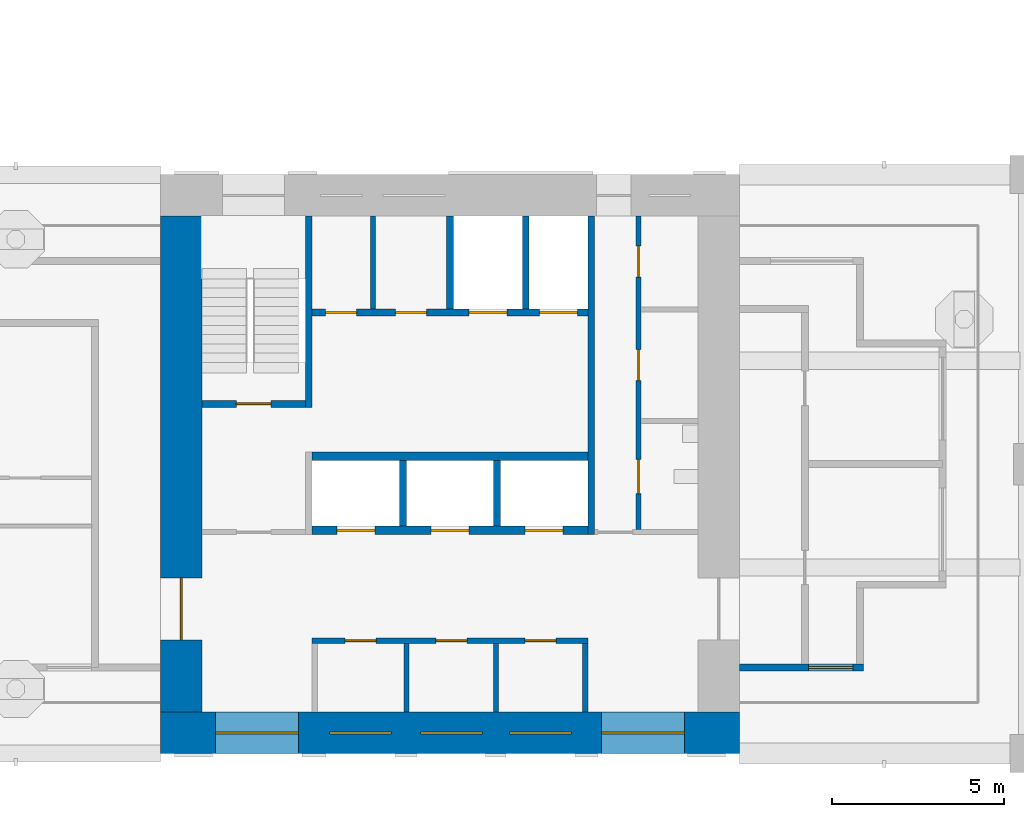
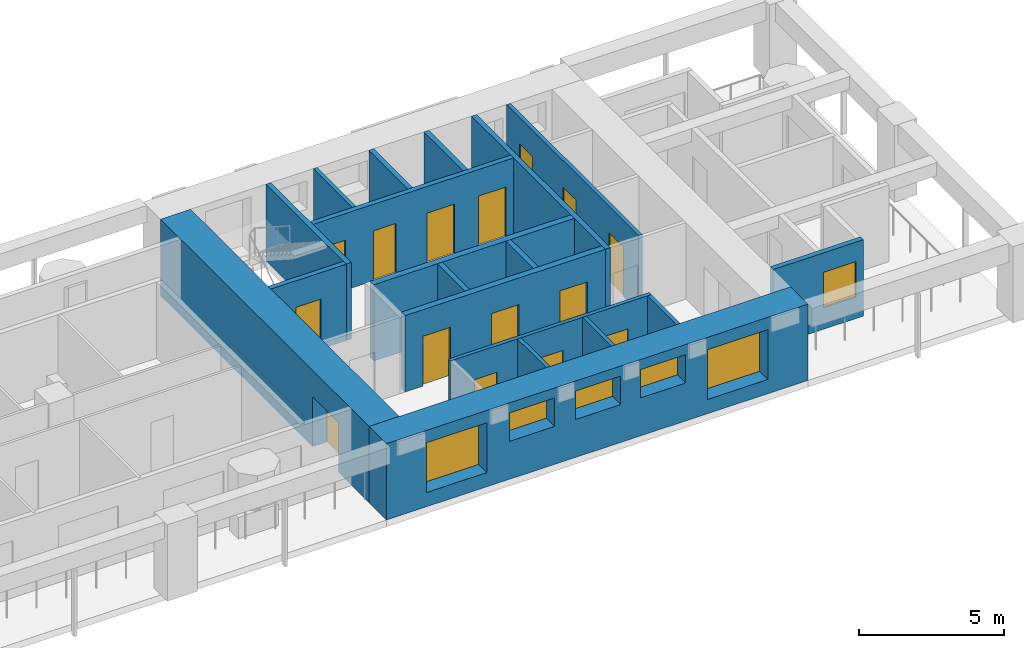
# One storey, part 4 of 13: 19 walls, 15 doors, 6 windows, 21 openings.
"""IFC4 building model written with IfcOpenShell, lengths in metres."""

from ifc_helpers import new_model, si_unit, direction, frame, frame_2d, origin, place, context, subcontext, project, spatial, rectangle, extrude, material, layer, layer_set, type_object, element, fill, save


model = new_model("IFC4")

# Units and contexts
model_context = context("Model", 3, precision=1e-05, world=origin(), true_north=direction((0.0, 1.0)))
body_context = subcontext(model_context, "Body", "Model", "MODEL_VIEW")
ifc_project = project(units=[si_unit("LENGTHUNIT", "METRE"), si_unit("AREAUNIT", "SQUARE_METRE"), si_unit("VOLUMEUNIT", "CUBIC_METRE"), si_unit("PLANEANGLEUNIT", "RADIAN"), si_unit("MASSUNIT", "GRAM", prefix="KILO")], contexts=[model_context])

# Site, building, storey
site_placement = place(None, origin())
site = spatial("IfcSite", under=ifc_project, at=site_placement, CompositionType="ELEMENT")
building_placement = place(site_placement, origin())
building = spatial("IfcBuilding", under=site, at=building_placement, Name="Vermilion Gate Residences", CompositionType="ELEMENT")
storey_placement = place(building_placement, frame((0.0, 0.0, 189.699951171875)))
storey = spatial("IfcBuildingStorey", under=building, at=storey_placement, Name="L49", CompositionType="ELEMENT", Elevation=189.699951171875)

# Walls
ifc_material_1 = material(Name="Masonry blockwork", Category="masonry")
ifc_layer_1 = layer(ifc_material_1, 0.14990234375)
ifc_layer_set_1 = layer_set([ifc_layer_1], Name="BLOCKWORK PARTITION 150 EI 120")
wall_type_1 = type_object("IfcWallType", Name="BLOCKWORK PARTITION 150 EI 120", PredefinedType="PARTITIONING", material=ifc_layer_set_1)
for number, where, z_axis, x_axis, name in (
    (1, (54.324951171875, 9.60009765625, 0.0), (0.0, 0.0, 1.0), (0.0, 1.0, 0.0), "Core room partition A49-RW-E"),
    (2, (49.14111328125, 9.60009765625, 0.0), (0.0, 0.0, 1.0), (0.0, 1.0, 0.0), "Core room partition A49-SR-P0"),
    (3, (51.73291015625, 9.60009765625, 0.0), (0.0, 0.0, 1.0), (0.0, 1.0, 0.0), "Core room partition A49-SR-P1"),
):
    element("IfcWall", number, at=place(storey_placement, frame(where, z_axis=z_axis, x_axis=x_axis)), inside=storey, type_object=wall_type_1, Name=name, PredefinedType="PARTITIONING", context=body_context, shape_type="SweptSolid", body=[
        extrude(rectangle(XDim=2.0, YDim=0.14990234375, at=frame_2d((1.0, 0.0))), origin(), (0.0, 0.0, 1.0), 3.219970703125),
    ])

# Wall, openings, doors
wall_1_placement = place(storey_placement, frame((46.39990234375, 11.675048828125, 0.0), z_axis=(0.0, 0.0, 1.0), x_axis=(1.0, 0.0, 0.0)))
wall_1 = element("IfcWall", 4, at=wall_1_placement, inside=storey, type_object=wall_type_1, Name="Core room partition A49-LR-F", PredefinedType="PARTITIONING", context=body_context, shape_type="SweptSolid", body=[
    extrude(rectangle(XDim=8.0, YDim=0.14990234375, at=frame_2d((4.0, 0.0))), origin(), (0.0, 0.0, 1.0), 3.219970703125),
])
opening_1_placement = place(wall_1_placement, frame((0.9580078125, 0.0, 0.0)))
opening_1 = element("IfcOpeningElement", 5, at=opening_1_placement, cuts=wall_1, Name="Opening DK49003", PredefinedType="OPENING", context=body_context, shape_type="SweptSolid", body=[
    extrude(rectangle(XDim=0.89990234375, YDim=2.10009765625, at=frame_2d((0.449951171875, 1.050048828125))), frame((0.0, 0.0849609375, 0.0), z_axis=(0.0, -1.0, 0.0), x_axis=(1.0, 0.0, 0.0)), (0.0, 0.0, 1.0), 0.169921875),
])
opening_2_placement = place(wall_1_placement, frame((3.5869140625, 0.0, 0.0)))
opening_2 = element("IfcOpeningElement", 6, at=opening_2_placement, cuts=wall_1, Name="Opening DK49004", PredefinedType="OPENING", context=body_context, shape_type="SweptSolid", body=[
    extrude(rectangle(XDim=0.89990234375, YDim=2.10009765625, at=frame_2d((0.449951171875, 1.050048828125))), frame((0.0, 0.0849609375, 0.0), z_axis=(0.0, -1.0, 0.0), x_axis=(1.0, 0.0, 0.0)), (0.0, 0.0, 1.0), 0.169921875),
])
opening_3_placement = place(wall_1_placement, frame((6.178955078125, 0.0, 0.0)))
opening_3 = element("IfcOpeningElement", 7, at=opening_3_placement, cuts=wall_1, Name="Opening DK49005", PredefinedType="OPENING", context=body_context, shape_type="SweptSolid", body=[
    extrude(rectangle(XDim=0.89990234375, YDim=2.10009765625, at=frame_2d((0.449951171875, 1.050048828125))), frame((0.0, 0.0849609375, 0.0), z_axis=(0.0, -1.0, 0.0), x_axis=(1.0, 0.0, 0.0)), (0.0, 0.0, 1.0), 0.169921875),
])
ifc_material_2 = material(Name="Steel", Category="steel")
door_type_1 = type_object("IfcDoorType", Name="SERVICE ROOM DOOR FD60 900 X 2100", OperationType="SINGLE_SWING_LEFT", PredefinedType="DOOR", material=ifc_material_2)
door_1_placement = place(opening_1_placement, origin())
door_1 = element("IfcDoor", 8, at=door_1_placement, inside=storey, type_object=door_type_1, Name="Electrical room A49", OperationType="SINGLE_SWING_LEFT", OverallHeight=2.10009765625, OverallWidth=0.89990234375, PredefinedType="DOOR", context=body_context, shape_type="SweptSolid", body=[
    extrude(rectangle(XDim=0.89990234375, YDim=2.10009765625, at=frame_2d((0.449951171875, 1.050048828125))), frame((0.0, 0.02490234375, 0.0), z_axis=(0.0, -1.0, 0.0), x_axis=(1.0, 0.0, 0.0)), (0.0, 0.0, 1.0), 0.050048828125),
])
fill(opening_1, door_1)
door_2_placement = place(opening_2_placement, frame((0.89990234375, 0.0, 0.0), z_axis=(0.0, 0.0, 1.0), x_axis=(-1.0, 0.0, 0.0)))
door_2 = element("IfcDoor", 9, at=door_2_placement, inside=storey, type_object=door_type_1, Name="Communications room A49", OperationType="SINGLE_SWING_LEFT", OverallHeight=2.10009765625, OverallWidth=0.89990234375, PredefinedType="DOOR", context=body_context, shape_type="SweptSolid", body=[
    extrude(rectangle(XDim=0.89990234375, YDim=2.10009765625, at=frame_2d((0.449951171875, 1.050048828125))), frame((0.0, 0.02490234375, 0.0), z_axis=(0.0, -1.0, 0.0), x_axis=(1.0, 0.0, 0.0)), (0.0, 0.0, 1.0), 0.050048828125),
])
fill(opening_2, door_2)
door_3_placement = place(opening_3_placement, frame((0.89990234375, 0.0, 0.0), z_axis=(0.0, 0.0, 1.0), x_axis=(-1.0, 0.0, 0.0)))
door_3 = element("IfcDoor", 10, at=door_3_placement, inside=storey, type_object=door_type_1, Name="Refuse room A49", OperationType="SINGLE_SWING_RIGHT", OverallHeight=2.10009765625, OverallWidth=0.89990234375, PredefinedType="DOOR", context=body_context, shape_type="SweptSolid", body=[
    extrude(rectangle(XDim=0.89990234375, YDim=2.10009765625, at=frame_2d((0.449951171875, 1.050048828125))), frame((0.0, 0.02490234375, 0.0), z_axis=(0.0, -1.0, 0.0), x_axis=(1.0, 0.0, 0.0)), (0.0, 0.0, 1.0), 0.050048828125),
])
fill(opening_3, door_3)

# Wall
wall_2_placement = place(storey_placement, frame((48.16259765625, 21.300048828125, 0.0), z_axis=(0.0, 0.0, 1.0), x_axis=(0.0, 1.0, 0.0)))
element("IfcWall", 11, at=wall_2_placement, inside=storey, type_object=wall_type_1, Name="Core room partition A49-NR-P0", PredefinedType="PARTITIONING", context=body_context, shape_type="SweptSolid", body=[
    extrude(rectangle(XDim=2.699951171875, YDim=0.14990234375, at=frame_2d((1.35009765625, 0.0))), origin(), (0.0, 0.0, 1.0), 3.219970703125),
])

# Wall, openings, doors
wall_3_placement = place(storey_placement, frame((55.875, 14.89990234375, 0.0), z_axis=(0.0, 0.0, 1.0), x_axis=(0.0, 1.0, 0.0)))
wall_3 = element("IfcWall", 12, at=wall_3_placement, inside=storey, type_object=wall_type_1, Name="Core room partition A49-ES-W", PredefinedType="PARTITIONING", context=body_context, shape_type="SweptSolid", body=[
    extrude(rectangle(XDim=9.10009765625, YDim=0.14990234375, at=frame_2d((4.550048828125, 0.0))), origin(), (0.0, 0.0, 1.0), 3.219970703125),
])
opening_4_placement = place(wall_3_placement, frame((1.0400390625, 0.0, 0.0)))
opening_4 = element("IfcOpeningElement", 13, at=opening_4_placement, cuts=wall_3, Name="Opening DK49016", PredefinedType="OPENING", context=body_context, shape_type="SweptSolid", body=[
    extrude(rectangle(XDim=1.0, YDim=2.10009765625, at=frame_2d((0.5, 1.050048828125))), frame((0.0, 0.0849609375, 0.0), z_axis=(0.0, -1.0, 0.0), x_axis=(1.0, 0.0, 0.0)), (0.0, 0.0, 1.0), 0.169921875),
])
opening_5_placement = place(wall_3_placement, frame((4.320068359375, 0.0, 0.0)))
opening_5 = element("IfcOpeningElement", 14, at=opening_5_placement, cuts=wall_3, Name="Opening DK49017", PredefinedType="OPENING", context=body_context, shape_type="SweptSolid", body=[
    extrude(rectangle(XDim=0.89990234375, YDim=2.10009765625, at=frame_2d((0.449951171875, 1.050048828125))), frame((0.0, 0.0849609375, 0.0), z_axis=(0.0, -1.0, 0.0), x_axis=(1.0, 0.0, 0.0)), (0.0, 0.0, 1.0), 0.169921875),
])
opening_6_placement = place(wall_3_placement, frame((7.330078125, 0.0, 0.0)))
opening_6 = element("IfcOpeningElement", 15, at=opening_6_placement, cuts=wall_3, Name="Opening DK49018", PredefinedType="OPENING", context=body_context, shape_type="SweptSolid", body=[
    extrude(rectangle(XDim=0.89990234375, YDim=2.10009765625, at=frame_2d((0.449951171875, 1.050048828125))), frame((0.0, 0.0849609375, 0.0), z_axis=(0.0, -1.0, 0.0), x_axis=(1.0, 0.0, 0.0)), (0.0, 0.0, 1.0), 0.169921875),
])
ifc_material_3 = material(Name="Steel", Category="steel")
door_type_2 = type_object("IfcDoorType", Name="FIRE DOOR FD60 1000 X 2100", OperationType="SINGLE_SWING_LEFT", PredefinedType="DOOR", material=ifc_material_3)
door_4_placement = place(opening_4_placement, frame((1.0, 0.0, 0.0), z_axis=(0.0, 0.0, 1.0), x_axis=(-1.0, 0.0, 0.0)))
door_4 = element("IfcDoor", 16, at=door_4_placement, inside=storey, type_object=door_type_2, Name="Accessible WC A49", OperationType="SINGLE_SWING_LEFT", OverallHeight=2.10009765625, OverallWidth=1.0, PredefinedType="DOOR", context=body_context, shape_type="SweptSolid", body=[
    extrude(rectangle(XDim=1.0, YDim=2.10009765625, at=frame_2d((0.5, 1.050048828125))), frame((0.0, 0.02490234375, 0.0), z_axis=(0.0, -1.0, 0.0), x_axis=(1.0, 0.0, 0.0)), (0.0, 0.0, 1.0), 0.050048828125),
])
fill(opening_4, door_4)
door_5_placement = place(opening_5_placement, frame((0.89990234375, 0.0, 0.0), z_axis=(0.0, 0.0, 1.0), x_axis=(-1.0, 0.0, 0.0)))
door_5 = element("IfcDoor", 17, at=door_5_placement, inside=storey, type_object=door_type_1, Name="Refuse room A49", OperationType="SINGLE_SWING_RIGHT", OverallHeight=2.10009765625, OverallWidth=0.89990234375, PredefinedType="DOOR", context=body_context, shape_type="SweptSolid", body=[
    extrude(rectangle(XDim=0.89990234375, YDim=2.10009765625, at=frame_2d((0.449951171875, 1.050048828125))), frame((0.0, 0.02490234375, 0.0), z_axis=(0.0, -1.0, 0.0), x_axis=(1.0, 0.0, 0.0)), (0.0, 0.0, 1.0), 0.050048828125),
])
fill(opening_5, door_5)
door_6_placement = place(opening_6_placement, frame((0.89990234375, 0.0, 0.0), z_axis=(0.0, 0.0, 1.0), x_axis=(-1.0, 0.0, 0.0)))
door_6 = element("IfcDoor", 18, at=door_6_placement, inside=storey, type_object=door_type_1, Name="Parcel room A49", OperationType="SINGLE_SWING_LEFT", OverallHeight=2.10009765625, OverallWidth=0.89990234375, PredefinedType="DOOR", context=body_context, shape_type="SweptSolid", body=[
    extrude(rectangle(XDim=0.89990234375, YDim=2.10009765625, at=frame_2d((0.449951171875, 1.050048828125))), frame((0.0, 0.02490234375, 0.0), z_axis=(0.0, -1.0, 0.0), x_axis=(1.0, 0.0, 0.0)), (0.0, 0.0, 1.0), 0.050048828125),
])
fill(opening_6, door_6)

# Wall, opening, window
ifc_material_4 = material(Name="Insulated steel stud wall with terracotta rainscreen", Category="masonry")
ifc_layer_2 = layer(ifc_material_4, 0.199951171875)
ifc_layer_set_2 = layer_set([ifc_layer_2], Name="EXTERNAL WALL 200 TERRACOTTA RAINSCREEN")
wall_type_2 = type_object("IfcWallType", Name="EXTERNAL WALL 200 TERRACOTTA RAINSCREEN", PredefinedType="SOLIDWALL", material=ifc_layer_set_2)
wall_4_placement = place(storey_placement, frame((58.800048828125, 10.89990234375, 0.0), z_axis=(0.0, 0.0, 1.0), x_axis=(1.0, 0.0, 0.0)))
wall_4 = element("IfcWall", 19, at=wall_4_placement, inside=storey, type_object=wall_type_2, Name="External wall", PredefinedType="SOLIDWALL", context=body_context, shape_type="SweptSolid", body=[
    extrude(rectangle(XDim=3.599853515625, YDim=0.199951171875, at=frame_2d((1.7998046875, 0.0))), origin(), (0.0, 0.0, 1.0), 3.219970703125),
])
opening_7_placement = place(wall_4_placement, frame((2.0, 0.0, 0.89990234375)))
opening_7 = element("IfcOpeningElement", 20, at=opening_7_placement, cuts=wall_4, Name="Opening WE49015", PredefinedType="OPENING", context=body_context, shape_type="SweptSolid", body=[
    extrude(rectangle(XDim=1.300048828125, YDim=1.5, at=frame_2d((0.64990234375, 0.75))), frame((0.0, 0.10986328125, 0.0), z_axis=(0.0, -1.0, 0.0), x_axis=(1.0, 0.0, 0.0)), (0.0, 0.0, 1.0), 0.219970703125),
])
ifc_material_5 = material(Name="Aluminium and clear glass", Category="aluminium")
window_type_1 = type_object("IfcWindowType", Name="WINDOW 1300 X 1500", PartitioningType="SINGLE_PANEL", PredefinedType="WINDOW", material=ifc_material_5)
window_1_placement = place(opening_7_placement, origin())
window_1 = element("IfcWindow", 21, at=window_1_placement, inside=storey, type_object=window_type_1, Name="Window", OverallHeight=1.5, OverallWidth=1.300048828125, PartitioningType="SINGLE_PANEL", PredefinedType="WINDOW", context=body_context, shape_type="SweptSolid", body=[
    extrude(rectangle(XDim=1.300048828125, YDim=1.5, at=frame_2d((0.64990234375, 0.75))), frame((0.0, 0.030029296875, 0.0), z_axis=(0.0, -1.0, 0.0), x_axis=(1.0, 0.0, 0.0)), (0.0, 0.0, 1.0), 0.06005859375),
])
fill(opening_7, window_1)

# Walls
ifc_material_6 = material(Name="Concrete C60", Category="concrete")
ifc_layer_3 = layer(ifc_material_6, 0.199951171875)
ifc_layer_set_3 = layer_set([ifc_layer_3], Name="RC CORE INTERNAL WALL 200 C60")
wall_type_3 = type_object("IfcWallType", Name="RC CORE INTERNAL WALL 200 C60", PredefinedType="SHEAR", material=ifc_layer_set_3)
for number, where, z_axis, x_axis, name in (
    (22, (49.033447265625, 15.0, 0.0), (0.0, 0.0, 1.0), (0.0, 1.0, 0.0), "Core internal wall A49-HR-D1"),
    (23, (51.7666015625, 15.0, 0.0), (0.0, 0.0, 1.0), (0.0, 1.0, 0.0), "Core internal wall A49-HR-D2"),
):
    element("IfcWall", number, at=place(storey_placement, frame(where, z_axis=z_axis, x_axis=x_axis)), inside=storey, type_object=wall_type_3, Name=name, PredefinedType="SHEAR", context=body_context, shape_type="SweptSolid", body=[
        extrude(rectangle(XDim=1.89990234375, YDim=0.199951171875, at=frame_2d((0.949951171875, 0.0))), origin(), (0.0, 0.0, 1.0), 3.219970703125),
    ])
for number, where, z_axis, x_axis, name in (
    (24, (50.39990234375, 21.300048828125, 0.0), (0.0, 0.0, 1.0), (0.0, 1.0, 0.0), "Core internal wall A49-FF-D0"),
    (25, (52.60009765625, 21.300048828125, 0.0), (0.0, 0.0, 1.0), (0.0, 1.0, 0.0), "Core internal wall A49-FF-D1"),
):
    element("IfcWall", number, at=place(storey_placement, frame(where, z_axis=z_axis, x_axis=x_axis)), inside=storey, type_object=wall_type_3, Name=name, PredefinedType="SHEAR", context=body_context, shape_type="SweptSolid", body=[
        extrude(rectangle(XDim=2.699951171875, YDim=0.199951171875, at=frame_2d((1.35009765625, 0.0))), origin(), (0.0, 0.0, 1.0), 3.219970703125),
    ])

# Wall, openings, doors
wall_5_placement = place(storey_placement, frame((46.39990234375, 21.199951171875, 0.0), z_axis=(0.0, 0.0, 1.0), x_axis=(1.0, 0.0, 0.0)))
wall_5 = element("IfcWall", 26, at=wall_5_placement, inside=storey, type_object=wall_type_3, Name="Core internal wall A49-FF-F", PredefinedType="SHEAR", context=body_context, shape_type="SweptSolid", body=[
    extrude(rectangle(XDim=8.0, YDim=0.199951171875, at=frame_2d((4.0, 0.0))), origin(), (0.0, 0.0, 1.0), 3.219970703125),
])
opening_8_placement = place(wall_5_placement, frame((0.393798828125, 0.0, 0.0)))
opening_8 = element("IfcOpeningElement", 27, at=opening_8_placement, cuts=wall_5, Name="Opening DK49009", PredefinedType="OPENING", context=body_context, shape_type="SweptSolid", body=[
    extrude(rectangle(XDim=0.89990234375, YDim=2.10009765625, at=frame_2d((0.449951171875, 1.050048828125))), frame((0.0, 0.10986328125, 0.0), z_axis=(0.0, -1.0, 0.0), x_axis=(1.0, 0.0, 0.0)), (0.0, 0.0, 1.0), 0.219970703125),
])
opening_9_placement = place(wall_5_placement, frame((2.418701171875, 0.0, 0.0)))
opening_9 = element("IfcOpeningElement", 28, at=opening_9_placement, cuts=wall_5, Name="Opening DK49010", PredefinedType="OPENING", context=body_context, shape_type="SweptSolid", body=[
    extrude(rectangle(XDim=0.89990234375, YDim=2.10009765625, at=frame_2d((0.449951171875, 1.050048828125))), frame((0.0, 0.10986328125, 0.0), z_axis=(0.0, -1.0, 0.0), x_axis=(1.0, 0.0, 0.0)), (0.0, 0.0, 1.0), 0.219970703125),
])
opening_10_placement = place(wall_5_placement, frame((4.550048828125, 0.0, 0.0)))
opening_10 = element("IfcOpeningElement", 29, at=opening_10_placement, cuts=wall_5, Name="Opening LD", PredefinedType="OPENING", context=body_context, shape_type="SweptSolid", body=[
    extrude(rectangle(XDim=1.10009765625, YDim=2.10009765625, at=frame_2d((0.550048828125, 1.050048828125))), frame((0.0, 0.10986328125, 0.0), z_axis=(0.0, -1.0, 0.0), x_axis=(1.0, 0.0, 0.0)), (0.0, 0.0, 1.0), 0.219970703125),
])
opening_11_placement = place(wall_5_placement, frame((6.60009765625, 0.0, 0.0)))
opening_11 = element("IfcOpeningElement", 30, at=opening_11_placement, cuts=wall_5, Name="Opening LD", PredefinedType="OPENING", context=body_context, shape_type="SweptSolid", body=[
    extrude(rectangle(XDim=1.10009765625, YDim=2.10009765625, at=frame_2d((0.550048828125, 1.050048828125))), frame((0.0, 0.10986328125, 0.0), z_axis=(0.0, -1.0, 0.0), x_axis=(1.0, 0.0, 0.0)), (0.0, 0.0, 1.0), 0.219970703125),
])
ifc_material_7 = material(Name="Stainless steel", Category="steel")
door_type_3 = type_object("IfcDoorType", Name="LIFT LANDING DOOR E60 1100 X 2100", OperationType="DOUBLE_DOOR_SLIDING", PredefinedType="DOOR", material=ifc_material_7)
door_7_placement = place(opening_10_placement, origin())
door_7 = element("IfcDoor", 31, at=door_7_placement, inside=storey, type_object=door_type_3, Name="Lift landing door LFA1", OperationType="DOUBLE_DOOR_SLIDING", OverallHeight=2.10009765625, OverallWidth=1.10009765625, PredefinedType="DOOR", context=body_context, shape_type="SweptSolid", body=[
    extrude(rectangle(XDim=1.10009765625, YDim=2.10009765625, at=frame_2d((0.550048828125, 1.050048828125))), frame((0.0, 0.02490234375, 0.0), z_axis=(0.0, -1.0, 0.0), x_axis=(1.0, 0.0, 0.0)), (0.0, 0.0, 1.0), 0.050048828125),
])
fill(opening_10, door_7)
door_8_placement = place(opening_11_placement, origin())
door_8 = element("IfcDoor", 32, at=door_8_placement, inside=storey, type_object=door_type_3, Name="Lift landing door LCA1", OperationType="DOUBLE_DOOR_SLIDING", OverallHeight=2.10009765625, OverallWidth=1.10009765625, PredefinedType="DOOR", context=body_context, shape_type="SweptSolid", body=[
    extrude(rectangle(XDim=1.10009765625, YDim=2.10009765625, at=frame_2d((0.550048828125, 1.050048828125))), frame((0.0, 0.02490234375, 0.0), z_axis=(0.0, -1.0, 0.0), x_axis=(1.0, 0.0, 0.0)), (0.0, 0.0, 1.0), 0.050048828125),
])
fill(opening_11, door_8)
door_9_placement = place(opening_8_placement, origin())
door_9 = element("IfcDoor", 33, at=door_9_placement, inside=storey, type_object=door_type_1, Name="Electrical riser A49", OperationType="SINGLE_SWING_LEFT", OverallHeight=2.10009765625, OverallWidth=0.89990234375, PredefinedType="DOOR", context=body_context, shape_type="SweptSolid", body=[
    extrude(rectangle(XDim=0.89990234375, YDim=2.10009765625, at=frame_2d((0.449951171875, 1.050048828125))), frame((0.0, 0.02490234375, 0.0), z_axis=(0.0, -1.0, 0.0), x_axis=(1.0, 0.0, 0.0)), (0.0, 0.0, 1.0), 0.050048828125),
])
fill(opening_8, door_9)
door_10_placement = place(opening_9_placement, origin())
door_10 = element("IfcDoor", 34, at=door_10_placement, inside=storey, type_object=door_type_1, Name="Cleaner's store A49", OperationType="SINGLE_SWING_LEFT", OverallHeight=2.10009765625, OverallWidth=0.89990234375, PredefinedType="DOOR", context=body_context, shape_type="SweptSolid", body=[
    extrude(rectangle(XDim=0.89990234375, YDim=2.10009765625, at=frame_2d((0.449951171875, 1.050048828125))), frame((0.0, 0.02490234375, 0.0), z_axis=(0.0, -1.0, 0.0), x_axis=(1.0, 0.0, 0.0)), (0.0, 0.0, 1.0), 0.050048828125),
])
fill(opening_9, door_10)

# Wall
wall_6_placement = place(storey_placement, frame((46.300048828125, 18.449951171875, 0.0), z_axis=(0.0, 0.0, 1.0), x_axis=(0.0, 1.0, 0.0)))
element("IfcWall", 35, at=wall_6_placement, inside=storey, type_object=wall_type_3, Name="Core internal wall A49-WDIV2", PredefinedType="SHEAR", context=body_context, shape_type="SweptSolid", body=[
    extrude(rectangle(XDim=5.550048828125, YDim=0.199951171875, at=frame_2d((2.77490234375, 0.0))), origin(), (0.0, 0.0, 1.0), 3.219970703125),
])

# Wall, opening, door
wall_7_placement = place(storey_placement, frame((43.199951171875, 18.550048828125, 0.0), z_axis=(0.0, 0.0, 1.0), x_axis=(1.0, 0.0, 0.0)))
wall_7 = element("IfcWall", 36, at=wall_7_placement, inside=storey, type_object=wall_type_3, Name="Core internal wall A49-STW-S", PredefinedType="SHEAR", context=body_context, shape_type="SweptSolid", body=[
    extrude(rectangle(XDim=3.0, YDim=0.199951171875, at=frame_2d((1.5, 0.0))), origin(), (0.0, 0.0, 1.0), 3.219970703125),
])
opening_12_placement = place(wall_7_placement, frame((1.0, 0.0, 0.0)))
opening_12 = element("IfcOpeningElement", 37, at=opening_12_placement, cuts=wall_7, Name="Opening DK49014", PredefinedType="OPENING", context=body_context, shape_type="SweptSolid", body=[
    extrude(rectangle(XDim=1.0, YDim=2.10009765625, at=frame_2d((0.5, 1.050048828125))), frame((0.0, 0.10986328125, 0.0), z_axis=(0.0, -1.0, 0.0), x_axis=(1.0, 0.0, 0.0)), (0.0, 0.0, 1.0), 0.219970703125),
])
door_11_placement = place(opening_12_placement, origin())
door_11 = element("IfcDoor", 38, at=door_11_placement, inside=storey, type_object=door_type_2, Name="Stair door A49", OperationType="SINGLE_SWING_LEFT", OverallHeight=2.10009765625, OverallWidth=1.0, PredefinedType="DOOR", context=body_context, shape_type="SweptSolid", body=[
    extrude(rectangle(XDim=1.0, YDim=2.10009765625, at=frame_2d((0.5, 1.050048828125))), frame((0.0, 0.02490234375, 0.0), z_axis=(0.0, -1.0, 0.0), x_axis=(1.0, 0.0, 0.0)), (0.0, 0.0, 1.0), 0.050048828125),
])
fill(opening_12, door_11)

# Wall
wall_8_placement = place(storey_placement, frame((54.5, 14.75, 0.0), z_axis=(0.0, 0.0, 1.0), x_axis=(0.0, 1.0, 0.0)))
element("IfcWall", 39, at=wall_8_placement, inside=storey, type_object=wall_type_3, Name="Core internal wall A49-EDIV", PredefinedType="SHEAR", context=body_context, shape_type="SweptSolid", body=[
    extrude(rectangle(XDim=9.25, YDim=0.199951171875, at=frame_2d((4.625, 0.0))), origin(), (0.0, 0.0, 1.0), 3.219970703125),
])

# Wall, opening, door
ifc_material_8 = material(Name="Concrete C60", Category="concrete")
ifc_layer_4 = layer(ifc_material_8, 1.199951171875)
ifc_layer_set_4 = layer_set([ifc_layer_4], Name="RC CORE WALL 1200 C60")
wall_type_4 = type_object("IfcWallType", Name="RC CORE WALL 1200 C60", PredefinedType="SHEAR", material=ifc_layer_set_4)
wall_9_placement = place(storey_placement, frame((42.60009765625, 9.60009765625, 0.0), z_axis=(0.0, 0.0, 1.0), x_axis=(0.0, 1.0, 0.0)))
wall_9 = element("IfcWall", 40, at=wall_9_placement, inside=storey, type_object=wall_type_4, Name="Core wall A49-OUT-FR", PredefinedType="SHEAR", context=body_context, shape_type="SweptSolid", body=[
    extrude(rectangle(XDim=14.39990234375, YDim=1.199951171875, at=frame_2d((7.199951171875, 0.0))), origin(), (0.0, 0.0, 1.0), 3.219970703125),
])
opening_13_placement = place(wall_9_placement, frame((2.10009765625, 0.0, 0.0)))
opening_13 = element("IfcOpeningElement", 41, at=opening_13_placement, cuts=wall_9, Name="Opening DK49001", PredefinedType="OPENING", context=body_context, shape_type="SweptSolid", body=[
    extrude(rectangle(XDim=1.800048828125, YDim=2.10009765625, at=frame_2d((0.89990234375, 1.050048828125))), frame((0.0, 0.60986328125, 0.0), z_axis=(0.0, -1.0, 0.0), x_axis=(1.0, 0.0, 0.0)), (0.0, 0.0, 1.0), 1.219970703125),
])
ifc_material_9 = material(Name="Steel", Category="steel")
door_type_4 = type_object("IfcDoorType", Name="CORE LOBBY DOOR FD60 1800 X 2100", OperationType="DOUBLE_DOOR_SINGLE_SWING", PredefinedType="DOOR", material=ifc_material_9)
door_12_placement = place(opening_13_placement, frame((1.800048828125, 0.0, 0.0), z_axis=(0.0, 0.0, 1.0), x_axis=(-1.0, 0.0, 0.0)))
door_12 = element("IfcDoor", 42, at=door_12_placement, inside=storey, type_object=door_type_4, Name="Core lobby door A49", OperationType="DOUBLE_DOOR_SINGLE_SWING", OverallHeight=2.10009765625, OverallWidth=1.800048828125, PredefinedType="DOOR", context=body_context, shape_type="SweptSolid", body=[
    extrude(rectangle(XDim=1.800048828125, YDim=2.10009765625, at=frame_2d((0.89990234375, 1.050048828125))), frame((0.0, 0.02490234375, 0.0), z_axis=(0.0, -1.0, 0.0), x_axis=(1.0, 0.0, 0.0)), (0.0, 0.0, 1.0), 0.050048828125),
])
fill(opening_13, door_12)

# Wall, openings, windows
ifc_material_10 = material(Name="Concrete C60 red-oxide pigmented", Category="concrete")
ifc_layer_5 = layer(ifc_material_10, 1.199951171875)
ifc_layer_set_5 = layer_set([ifc_layer_5], Name="RC CORE WALL 1200 C60 RED OXIDE")
wall_type_5 = type_object("IfcWallType", Name="RC CORE WALL 1200 C60 RED OXIDE", PredefinedType="SHEAR", material=ifc_layer_set_5)
wall_10_placement = place(storey_placement, frame((42.0, 9.0, 0.0), z_axis=(0.0, 0.0, 1.0), x_axis=(1.0, 0.0, 0.0)))
wall_10 = element("IfcWall", 43, at=wall_10_placement, inside=storey, type_object=wall_type_5, Name="Core wall A49-OUT-B0", PredefinedType="SHEAR", context=body_context, shape_type="SweptSolid", body=[
    extrude(rectangle(XDim=16.800048828125, YDim=1.199951171875, at=frame_2d((8.39990234375, 0.0))), origin(), (0.0, 0.0, 1.0), 3.219970703125),
])
opening_14_placement = place(wall_10_placement, frame((1.60009765625, 0.0, 0.60009765625)))
opening_14 = element("IfcOpeningElement", 44, at=opening_14_placement, cuts=wall_10, Name="Opening WKA4901", PredefinedType="OPENING", context=body_context, shape_type="SweptSolid", body=[
    extrude(rectangle(XDim=2.39990234375, YDim=2.10009765625, at=frame_2d((1.199951171875, 1.050048828125))), frame((0.0, 0.60986328125, 0.0), z_axis=(0.0, -1.0, 0.0), x_axis=(1.0, 0.0, 0.0)), (0.0, 0.0, 1.0), 1.219970703125),
])
opening_15_placement = place(wall_10_placement, frame((4.907958984375, 0.0, 1.60009765625)))
opening_15 = element("IfcOpeningElement", 45, at=opening_15_placement, cuts=wall_10, Name="Opening WKA4902", PredefinedType="OPENING", context=body_context, shape_type="SweptSolid", body=[
    extrude(rectangle(XDim=1.800048828125, YDim=1.199951171875, at=frame_2d((0.89990234375, 0.60009765625))), frame((0.0, 0.60986328125, 0.0), z_axis=(0.0, -1.0, 0.0), x_axis=(1.0, 0.0, 0.0)), (0.0, 0.0, 1.0), 1.219970703125),
])
opening_16_placement = place(wall_10_placement, frame((7.537109375, 0.0, 1.60009765625)))
opening_16 = element("IfcOpeningElement", 46, at=opening_16_placement, cuts=wall_10, Name="Opening WKA4903", PredefinedType="OPENING", context=body_context, shape_type="SweptSolid", body=[
    extrude(rectangle(XDim=1.800048828125, YDim=1.199951171875, at=frame_2d((0.89990234375, 0.60009765625))), frame((0.0, 0.60986328125, 0.0), z_axis=(0.0, -1.0, 0.0), x_axis=(1.0, 0.0, 0.0)), (0.0, 0.0, 1.0), 1.219970703125),
])
opening_17_placement = place(wall_10_placement, frame((10.12890625, 0.0, 1.60009765625)))
opening_17 = element("IfcOpeningElement", 47, at=opening_17_placement, cuts=wall_10, Name="Opening WKA4904", PredefinedType="OPENING", context=body_context, shape_type="SweptSolid", body=[
    extrude(rectangle(XDim=1.800048828125, YDim=1.199951171875, at=frame_2d((0.89990234375, 0.60009765625))), frame((0.0, 0.60986328125, 0.0), z_axis=(0.0, -1.0, 0.0), x_axis=(1.0, 0.0, 0.0)), (0.0, 0.0, 1.0), 1.219970703125),
])
opening_18_placement = place(wall_10_placement, frame((12.800048828125, 0.0, 0.60009765625)))
opening_18 = element("IfcOpeningElement", 48, at=opening_18_placement, cuts=wall_10, Name="Opening WKA4905", PredefinedType="OPENING", context=body_context, shape_type="SweptSolid", body=[
    extrude(rectangle(XDim=2.39990234375, YDim=2.10009765625, at=frame_2d((1.199951171875, 1.050048828125))), frame((0.0, 0.60986328125, 0.0), z_axis=(0.0, -1.0, 0.0), x_axis=(1.0, 0.0, 0.0)), (0.0, 0.0, 1.0), 1.219970703125),
])
ifc_material_11 = material(Name="Aluminium and clear glass", Category="aluminium")
window_type_2 = type_object("IfcWindowType", Name="CORE LOBBY WINDOW 2400 X 2100", PartitioningType="SINGLE_PANEL", PredefinedType="WINDOW", material=ifc_material_11)
window_2_placement = place(opening_14_placement, origin())
window_2 = element("IfcWindow", 49, at=window_2_placement, inside=storey, type_object=window_type_2, Name="Core lobby window", OverallHeight=2.10009765625, OverallWidth=2.39990234375, PartitioningType="SINGLE_PANEL", PredefinedType="WINDOW", context=body_context, shape_type="SweptSolid", body=[
    extrude(rectangle(XDim=2.39990234375, YDim=2.10009765625, at=frame_2d((1.199951171875, 1.050048828125))), frame((0.0, 0.030029296875, 0.0), z_axis=(0.0, -1.0, 0.0), x_axis=(1.0, 0.0, 0.0)), (0.0, 0.0, 1.0), 0.06005859375),
])
fill(opening_14, window_2)
window_3_placement = place(opening_18_placement, origin())
window_3 = element("IfcWindow", 50, at=window_3_placement, inside=storey, type_object=window_type_2, Name="Core lobby window", OverallHeight=2.10009765625, OverallWidth=2.39990234375, PartitioningType="SINGLE_PANEL", PredefinedType="WINDOW", context=body_context, shape_type="SweptSolid", body=[
    extrude(rectangle(XDim=2.39990234375, YDim=2.10009765625, at=frame_2d((1.199951171875, 1.050048828125))), frame((0.0, 0.030029296875, 0.0), z_axis=(0.0, -1.0, 0.0), x_axis=(1.0, 0.0, 0.0)), (0.0, 0.0, 1.0), 0.06005859375),
])
fill(opening_18, window_3)
ifc_material_12 = material(Name="Aluminium frame with louvre blades", Category="aluminium")
window_type_3 = type_object("IfcWindowType", Name="CORE LOUVRE 1800 X 1200", PartitioningType="SINGLE_PANEL", PredefinedType="WINDOW", material=ifc_material_12)
window_4_placement = place(opening_15_placement, origin())
window_4 = element("IfcWindow", 51, at=window_4_placement, inside=storey, type_object=window_type_3, Name="Core louvre", OverallHeight=1.199951171875, OverallWidth=1.800048828125, PartitioningType="SINGLE_PANEL", PredefinedType="WINDOW", context=body_context, shape_type="SweptSolid", body=[
    extrude(rectangle(XDim=1.800048828125, YDim=1.199951171875, at=frame_2d((0.89990234375, 0.60009765625))), frame((0.0, 0.030029296875, 0.0), z_axis=(0.0, -1.0, 0.0), x_axis=(1.0, 0.0, 0.0)), (0.0, 0.0, 1.0), 0.06005859375),
])
fill(opening_15, window_4)
window_5_placement = place(opening_16_placement, origin())
window_5 = element("IfcWindow", 52, at=window_5_placement, inside=storey, type_object=window_type_3, Name="Core louvre", OverallHeight=1.199951171875, OverallWidth=1.800048828125, PartitioningType="SINGLE_PANEL", PredefinedType="WINDOW", context=body_context, shape_type="SweptSolid", body=[
    extrude(rectangle(XDim=1.800048828125, YDim=1.199951171875, at=frame_2d((0.89990234375, 0.60009765625))), frame((0.0, 0.030029296875, 0.0), z_axis=(0.0, -1.0, 0.0), x_axis=(1.0, 0.0, 0.0)), (0.0, 0.0, 1.0), 0.06005859375),
])
fill(opening_16, window_5)
window_6_placement = place(opening_17_placement, origin())
window_6 = element("IfcWindow", 53, at=window_6_placement, inside=storey, type_object=window_type_3, Name="Core louvre", OverallHeight=1.199951171875, OverallWidth=1.800048828125, PartitioningType="SINGLE_PANEL", PredefinedType="WINDOW", context=body_context, shape_type="SweptSolid", body=[
    extrude(rectangle(XDim=1.800048828125, YDim=1.199951171875, at=frame_2d((0.89990234375, 0.60009765625))), frame((0.0, 0.030029296875, 0.0), z_axis=(0.0, -1.0, 0.0), x_axis=(1.0, 0.0, 0.0)), (0.0, 0.0, 1.0), 0.06005859375),
])
fill(opening_17, window_6)

# Wall, openings, doors
ifc_material_13 = material(Name="Concrete C60", Category="concrete")
ifc_layer_6 = layer(ifc_material_13, 0.25)
ifc_layer_set_6 = layer_set([ifc_layer_6], Name="RC LIFT SHAFT WALL 250 C60")
wall_type_6 = type_object("IfcWallType", Name="RC LIFT SHAFT WALL 250 C60", PredefinedType="SHEAR", material=ifc_layer_set_6)
wall_11_placement = place(storey_placement, frame((46.39990234375, 14.875, 0.0), z_axis=(0.0, 0.0, 1.0), x_axis=(1.0, 0.0, 0.0)))
wall_11 = element("IfcWall", 54, at=wall_11_placement, inside=storey, type_object=wall_type_6, Name="Lift shaft wall A49-HR-F", PredefinedType="SHEAR", context=body_context, shape_type="SweptSolid", body=[
    extrude(rectangle(XDim=8.0, YDim=0.25, at=frame_2d((4.0, 0.0))), origin(), (0.0, 0.0, 1.0), 3.219970703125),
])
opening_19_placement = place(wall_11_placement, frame((0.716552734375, 0.0, 0.0)))
opening_19 = element("IfcOpeningElement", 55, at=opening_19_placement, cuts=wall_11, Name="Opening LD", PredefinedType="OPENING", context=body_context, shape_type="SweptSolid", body=[
    extrude(rectangle(XDim=1.10009765625, YDim=2.10009765625, at=frame_2d((0.550048828125, 1.050048828125))), frame((0.0, 0.135009765625, 0.0), z_axis=(0.0, -1.0, 0.0), x_axis=(1.0, 0.0, 0.0)), (0.0, 0.0, 1.0), 0.27001953125),
])
opening_20_placement = place(wall_11_placement, frame((3.449951171875, 0.0, 0.0)))
opening_20 = element("IfcOpeningElement", 56, at=opening_20_placement, cuts=wall_11, Name="Opening LD", PredefinedType="OPENING", context=body_context, shape_type="SweptSolid", body=[
    extrude(rectangle(XDim=1.10009765625, YDim=2.10009765625, at=frame_2d((0.550048828125, 1.050048828125))), frame((0.0, 0.135009765625, 0.0), z_axis=(0.0, -1.0, 0.0), x_axis=(1.0, 0.0, 0.0)), (0.0, 0.0, 1.0), 0.27001953125),
])
opening_21_placement = place(wall_11_placement, frame((6.183349609375, 0.0, 0.0)))
opening_21 = element("IfcOpeningElement", 57, at=opening_21_placement, cuts=wall_11, Name="Opening LD", PredefinedType="OPENING", context=body_context, shape_type="SweptSolid", body=[
    extrude(rectangle(XDim=1.10009765625, YDim=2.10009765625, at=frame_2d((0.550048828125, 1.050048828125))), frame((0.0, 0.135009765625, 0.0), z_axis=(0.0, -1.0, 0.0), x_axis=(1.0, 0.0, 0.0)), (0.0, 0.0, 1.0), 0.27001953125),
])
door_13_placement = place(opening_19_placement, origin())
door_13 = element("IfcDoor", 58, at=door_13_placement, inside=storey, type_object=door_type_3, Name="Lift landing door HRA1", OperationType="DOUBLE_DOOR_SLIDING", OverallHeight=2.10009765625, OverallWidth=1.10009765625, PredefinedType="DOOR", context=body_context, shape_type="SweptSolid", body=[
    extrude(rectangle(XDim=1.10009765625, YDim=2.10009765625, at=frame_2d((0.550048828125, 1.050048828125))), frame((0.0, 0.02490234375, 0.0), z_axis=(0.0, -1.0, 0.0), x_axis=(1.0, 0.0, 0.0)), (0.0, 0.0, 1.0), 0.050048828125),
])
fill(opening_19, door_13)
door_14_placement = place(opening_20_placement, origin())
door_14 = element("IfcDoor", 59, at=door_14_placement, inside=storey, type_object=door_type_3, Name="Lift landing door HRA2", OperationType="DOUBLE_DOOR_SLIDING", OverallHeight=2.10009765625, OverallWidth=1.10009765625, PredefinedType="DOOR", context=body_context, shape_type="SweptSolid", body=[
    extrude(rectangle(XDim=1.10009765625, YDim=2.10009765625, at=frame_2d((0.550048828125, 1.050048828125))), frame((0.0, 0.02490234375, 0.0), z_axis=(0.0, -1.0, 0.0), x_axis=(1.0, 0.0, 0.0)), (0.0, 0.0, 1.0), 0.050048828125),
])
fill(opening_20, door_14)
door_15_placement = place(opening_21_placement, origin())
door_15 = element("IfcDoor", 60, at=door_15_placement, inside=storey, type_object=door_type_3, Name="Lift landing door HRA3", OperationType="DOUBLE_DOOR_SLIDING", OverallHeight=2.10009765625, OverallWidth=1.10009765625, PredefinedType="DOOR", context=body_context, shape_type="SweptSolid", body=[
    extrude(rectangle(XDim=1.10009765625, YDim=2.10009765625, at=frame_2d((0.550048828125, 1.050048828125))), frame((0.0, 0.02490234375, 0.0), z_axis=(0.0, -1.0, 0.0), x_axis=(1.0, 0.0, 0.0)), (0.0, 0.0, 1.0), 0.050048828125),
])
fill(opening_21, door_15)

# Wall
wall_12_placement = place(storey_placement, frame((46.39990234375, 17.02490234375, 0.0), z_axis=(0.0, 0.0, 1.0), x_axis=(1.0, 0.0, 0.0)))
element("IfcWall", 61, at=wall_12_placement, inside=storey, type_object=wall_type_6, Name="Lift shaft wall A49-HR-B", PredefinedType="SHEAR", context=body_context, shape_type="SweptSolid", body=[
    extrude(rectangle(XDim=8.0, YDim=0.25, at=frame_2d((4.0, 0.0))), origin(), (0.0, 0.0, 1.0), 3.219970703125),
])

save(model, "model.ifc")
